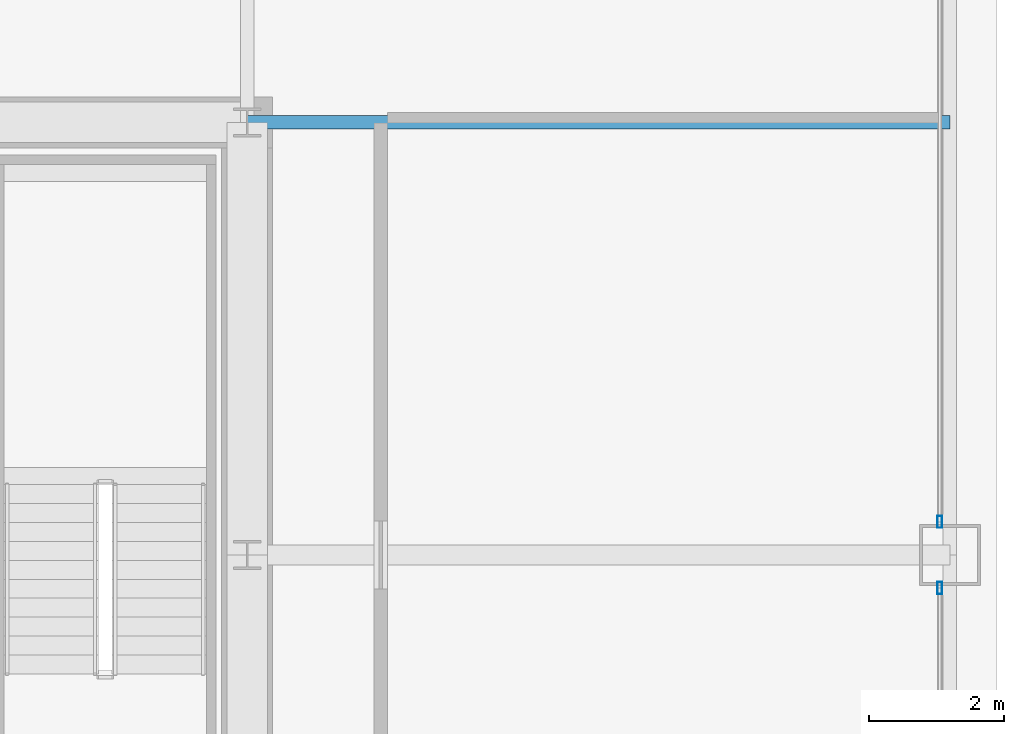
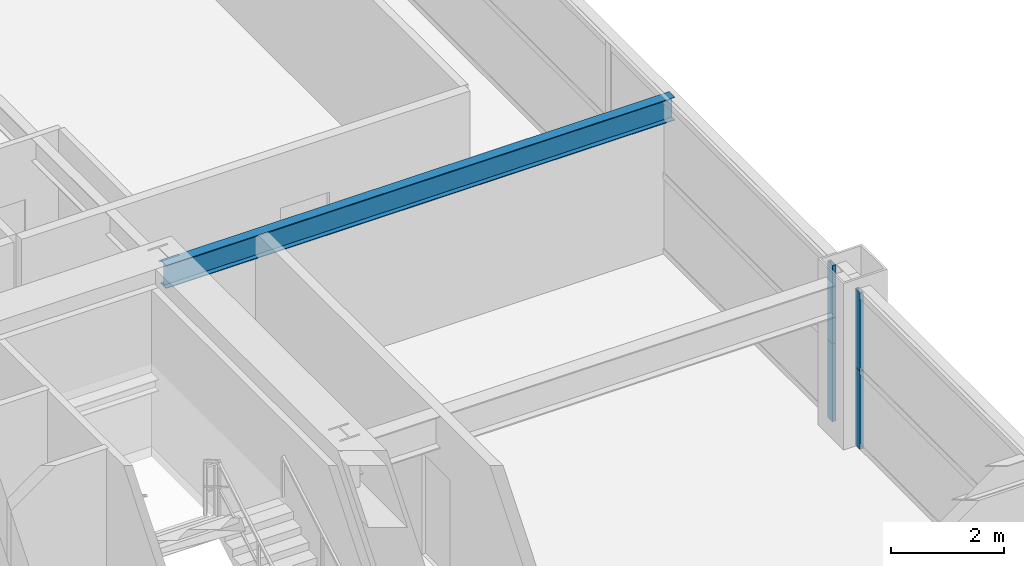
# One storey, part 22 of 43: 4 members, 1 beam, 2 elements without a shape of their own.
"""IFC4 building model written with IfcOpenShell, lengths in metres."""

import ifcopenshell
import ifcopenshell.guid

model = None  # the IFC model being written
_history = None  # IfcOwnerHistory: only IFC2X3 demands one
_inside = {}  # id of a spatial element -> (the spatial element, [elements in it])
_under = {}  # id of a project, library or spatial element -> (it, [spatial elements below it])
_declared = {}  # id of a project -> (the project, [libraries it declares])
_typed = {}  # id of a type object -> (the type object, [elements of that type])
_made_of = {}  # id of a material, layer set ... -> (it, [elements and type objects made of it])


def new_model(schema):
    """Start an empty IFC model of exactly this schema.

    Asked for "IFC4X3", IfcOpenShell would pick the latest addendum, in which some entities
    have other attributes; the version numbers below select the first issue.
    IFC2X3 requires an IfcOwnerHistory on every rooted entity: one is made here for all.
    """
    global model, _history
    if schema == "IFC4X3":
        model = ifcopenshell.file(schema_version=(4, 3, 0, 0))
    else:
        model = ifcopenshell.file(schema=schema)
    _inside.clear()
    _under.clear()
    _declared.clear()
    _typed.clear()
    _made_of.clear()
    _history = None
    if model.schema == "IFC2X3":
        org = make("IfcOrganization", Name="unknown")
        user = make(
            "IfcPersonAndOrganization",
            ThePerson=make("IfcPerson", FamilyName="unknown"),
            TheOrganization=org,
        )
        app = make(
            "IfcApplication",
            ApplicationDeveloper=org,
            Version="unknown",
            ApplicationFullName="unknown",
            ApplicationIdentifier="unknown",
        )
        _history = make(
            "IfcOwnerHistory",
            OwningUser=user,
            OwningApplication=app,
            ChangeAction="ADDED",
            CreationDate=0,
        )
    return model


def make(cls, **values):
    """One entity of the class cls with the attributes given. An attribute that is None is left unset."""
    return model.create_entity(
        cls, **{name: value for name, value in values.items() if value is not None}
    )


def rooted(cls, **values):
    """An entity with a GlobalId (a new one), such as an element, a storey or a relation."""
    return make(cls, GlobalId=ifcopenshell.guid.new(), OwnerHistory=_history, **values)


def si_unit(unit_type, name, prefix=None):
    """IfcSIUnit, for example si_unit("LENGTHUNIT", "METRE", prefix="MILLI")."""
    return make("IfcSIUnit", UnitType=unit_type, Prefix=prefix, Name=name)


def assignment(units):
    """IfcUnitAssignment: the units of a project."""
    return None if units is None else make("IfcUnitAssignment", Units=units)


def point(xyz):
    """IfcCartesianPoint."""
    return None if xyz is None else make("IfcCartesianPoint", Coordinates=xyz)


def direction(xyz):
    """IfcDirection."""
    return None if xyz is None else make("IfcDirection", DirectionRatios=xyz)


def frame(location, z_axis=None, x_axis=None):
    """IfcAxis2Placement3D, a coordinate frame: its origin and axes. An axis left out is left unset."""
    return make(
        "IfcAxis2Placement3D",
        Location=point(location),
        Axis=direction(z_axis),
        RefDirection=direction(x_axis),
    )


def frame_2d(location, x_axis=None):
    """IfcAxis2Placement2D, a coordinate frame in the plane: its origin and x axis."""
    return make(
        "IfcAxis2Placement2D", Location=point(location), RefDirection=direction(x_axis)
    )


def origin():
    """The frame at (0, 0, 0) with its axes left unset."""
    return frame((0.0, 0.0, 0.0))


def origin_2d():
    """The frame at (0, 0) in the plane with its x axis left unset."""
    return frame_2d((0.0, 0.0))


def place(relative_to, where):
    """IfcLocalPlacement: puts the frame where relative to a parent placement (None: the world)."""
    return make(
        "IfcLocalPlacement", PlacementRelTo=relative_to, RelativePlacement=where
    )


def context(
    kind, dimensions, precision=None, world=None, true_north=None, identifier=None
):
    """IfcGeometricRepresentationContext, for example the 3D "Model" context."""
    return make(
        "IfcGeometricRepresentationContext",
        ContextIdentifier=identifier,
        ContextType=kind,
        CoordinateSpaceDimension=dimensions,
        Precision=precision,
        WorldCoordinateSystem=world,
        TrueNorth=true_north,
    )


def subcontext(parent, identifier, kind, view, scale=None):
    """IfcGeometricRepresentationSubContext, for example "Body" below "Model"."""
    return make(
        "IfcGeometricRepresentationSubContext",
        ContextIdentifier=identifier,
        ContextType=kind,
        ParentContext=parent,
        TargetScale=scale,
        TargetView=view,
    )


def project(units=None, contexts=None):
    """IfcProject with its units and contexts."""
    return rooted(
        "IfcProject",
        Name="project",
        RepresentationContexts=contexts,
        UnitsInContext=assignment(units),
    )


def spatial(cls, under=None, at=None, **own):
    """A site, building, storey or space (cls), placed at a placement, below another one or the project."""
    s = rooted(cls, ObjectPlacement=at, **own)
    if under is not None:
        _under.setdefault(under.id(), (under, []))[1].append(s)
    return s


def profile(cls, at=None, kind="AREA", **sizes):
    """A parametric profile (cls). Its sizes go by their IFC names, for example OverallWidth=200.0."""
    return make(cls, ProfileType=kind, Position=at, **sizes)


def hollow_rectangle(**sizes):
    """IfcRectangleHollowProfileDef."""
    return profile("IfcRectangleHollowProfileDef", **sizes)


def i_section(**sizes):
    """IfcIShapeProfileDef."""
    return profile("IfcIShapeProfileDef", **sizes)


def extrude(swept, where, along, depth):
    """IfcExtrudedAreaSolid: the profile swept, set in the frame where, extruded along a direction by depth."""
    return make(
        "IfcExtrudedAreaSolid",
        SweptArea=swept,
        Position=where,
        ExtrudedDirection=direction(along),
        Depth=depth,
    )


def shape(context_of_items, identifier, shape_type, items):
    """IfcShapeRepresentation: the items that make up one representation, for example the "Body"."""
    return make(
        "IfcShapeRepresentation",
        ContextOfItems=context_of_items,
        RepresentationIdentifier=identifier,
        RepresentationType=shape_type,
        Items=items,
    )


def source(mapping_origin, context_of_items, identifier, shape_type, items):
    """IfcRepresentationMap: a shape defined once, which mapped items show again and again."""
    return make(
        "IfcRepresentationMap",
        MappingOrigin=mapping_origin,
        MappedRepresentation=shape(context_of_items, identifier, shape_type, items),
    )


def transform(
    local_origin,
    x_axis=None,
    y_axis=None,
    z_axis=None,
    scale=None,
    scale2=None,
    scale3=None,
    uniform=True,
):
    """IfcCartesianTransformationOperator3D, or its non-uniform kind. x_axis, y_axis, z_axis: its Axis1, 2, 3."""
    if uniform:
        return make(
            "IfcCartesianTransformationOperator3D",
            Axis1=direction(x_axis),
            Axis2=direction(y_axis),
            LocalOrigin=point(local_origin),
            Scale=scale,
            Axis3=direction(z_axis),
        )
    return make(
        "IfcCartesianTransformationOperator3DnonUniform",
        Axis1=direction(x_axis),
        Axis2=direction(y_axis),
        LocalOrigin=point(local_origin),
        Scale=scale,
        Axis3=direction(z_axis),
        Scale2=scale2,
        Scale3=scale3,
    )


def mapped(mapping_source, mapping_target):
    """IfcMappedItem: shows the shape of a source again, moved by a transform."""
    return make(
        "IfcMappedItem", MappingSource=mapping_source, MappingTarget=mapping_target
    )


def material(Name=None, Category=None):
    """IfcMaterial."""
    return make("IfcMaterial", Name=Name, Category=Category)


def layer(
    of_material, thickness, ventilated=None, Name=None, Category=None, Priority=None
):
    """IfcMaterialLayer: one layer of a wall or slab, of a material (None: an air gap)."""
    return make(
        "IfcMaterialLayer",
        Material=of_material,
        LayerThickness=thickness,
        IsVentilated=ventilated,
        Name=Name,
        Category=Category,
        Priority=Priority,
    )


def layer_set(layers, Name=None):
    """IfcMaterialLayerSet."""
    return make("IfcMaterialLayerSet", MaterialLayers=layers, LayerSetName=Name)


def material_profile(
    of_material, cross_section, Name=None, Category=None, Priority=None
):
    """IfcMaterialProfile: a cross section and its material."""
    return make(
        "IfcMaterialProfile",
        Name=Name,
        Material=of_material,
        Profile=cross_section,
        Priority=Priority,
        Category=Category,
    )


def profile_set(profiles, Name=None, composite=None):
    """IfcMaterialProfileSet."""
    return make(
        "IfcMaterialProfileSet",
        Name=Name,
        MaterialProfiles=profiles,
        CompositeProfile=composite,
    )


def made_of(thing, what):
    """Note that an element or type object is made of a material, layer set ...; save() writes the relation."""
    if what is not None:
        _made_of.setdefault(what.id(), (what, []))[1].append(thing)
    return thing


def type_object(cls, material=None, **own):
    """A type object (cls), such as IfcWallType, which elements share."""
    return made_of(rooted(cls, **own), material)


def element(
    cls,
    number,
    at=None,
    inside=None,
    cuts=None,
    type_object=None,
    material=None,
    context=None,
    identifier="Body",
    shape_type=None,
    held_by="IfcProductDefinitionShape",
    body=None,
    shapes=None,
    **own,
):
    """One element of the class cls, such as IfcWall. Its Tag is "e" and its number.

    at: its placement. inside: the storey or other place that contains it. cuts: it is an
    opening in that element (IfcRelVoidsElement). A single representation is given by context,
    identifier, shape_type and body (its items); several are given by shapes. held_by: the class
    of the entity that holds the representations. save() writes the other relations.
    """
    e = rooted(cls, Tag="e%d" % number, ObjectPlacement=at, **own)
    if body is not None:
        shapes = [shape(context, identifier, shape_type, body)]
    if shapes is not None:
        e.Representation = make(held_by, Representations=shapes)
    if inside is not None:
        _inside.setdefault(inside.id(), (inside, []))[1].append(e)
    if cuts is not None:
        rooted(
            "IfcRelVoidsElement", RelatingBuildingElement=cuts, RelatedOpeningElement=e
        )
    if type_object is not None:
        _typed.setdefault(type_object.id(), (type_object, []))[1].append(e)
    return made_of(e, material)


def aggregate(whole, parts):
    """IfcRelAggregates: a whole, such as a stair, and the parts it consists of."""
    return rooted("IfcRelAggregates", RelatingObject=whole, RelatedObjects=parts)


def save(model, path):
    """Write the relations noted so far, then the file.

    IfcRelAggregates (storeys below a building ...), IfcRelContainedInSpatialStructure (elements
    in a storey), IfcRelDefinesByType, IfcRelAssociatesMaterial and IfcRelDeclares: one each for
    every whole, place, type object, material and project.
    """
    for whole, parts in _under.values():
        aggregate(whole, parts)
    for where, things in _inside.values():
        rooted(
            "IfcRelContainedInSpatialStructure",
            RelatedElements=things,
            RelatingStructure=where,
        )
    for kind, things in _typed.values():
        rooted("IfcRelDefinesByType", RelatedObjects=things, RelatingType=kind)
    for what, things in _made_of.values():
        rooted("IfcRelAssociatesMaterial", RelatedObjects=things, RelatingMaterial=what)
    for by, libraries in _declared.values():
        rooted("IfcRelDeclares", RelatingContext=by, RelatedDefinitions=libraries)
    model.write(path)


model = new_model("IFC4")

# Units and contexts
model_context = context("Model", 3, precision=1e-05, world=origin(), true_north=direction((0.0, 1.0)))
body_context = subcontext(model_context, "Body", "Model", "MODEL_VIEW")
ifc_project = project(units=[si_unit("LENGTHUNIT", "METRE"), si_unit("AREAUNIT", "SQUARE_METRE"), si_unit("VOLUMEUNIT", "CUBIC_METRE"), si_unit("PLANEANGLEUNIT", "RADIAN"), si_unit("MASSUNIT", "GRAM", prefix="KILO"), si_unit("THERMODYNAMICTEMPERATUREUNIT", "KELVIN"), si_unit("POWERUNIT", "WATT")], contexts=[model_context])

# Site, building, storey
site_placement = place(None, origin())
site = spatial("IfcSite", under=ifc_project, at=site_placement, CompositionType="ELEMENT")
building_placement = place(site_placement, origin())
building = spatial("IfcBuilding", under=site, at=building_placement, Name="Yuzanri Waterfront Tower", CompositionType="ELEMENT")
storey_placement = place(building_placement, frame((0.0, 0.0, 108.199951171875)))
storey = spatial("IfcBuildingStorey", under=building, at=storey_placement, Name="L28", CompositionType="ELEMENT", Elevation=108.199951171875)

# Beam
ifc_material_1 = material(Name="Steel Q355B", Category="steel")
ifc_material_profile_1 = material_profile(ifc_material_1, i_section(OverallWidth=0.199951171875, OverallDepth=0.5, WebThickness=0.010009765625, FlangeThickness=0.01611328125, at=origin_2d()), Name="HN 500x200x10x16")
ifc_profile_set_1 = profile_set([ifc_material_profile_1], Name="Steel Q355B")
beam_type = type_object("IfcBeamType", Name="Secondary Floor Beam Q355B HN 500x200", PredefinedType="BEAM", material=ifc_profile_set_1)
shared_shape_1 = source(origin(), body_context, "Body", "SweptSolid", [
    extrude(i_section(OverallWidth=0.199951171875, OverallDepth=0.5, WebThickness=0.010009765625, FlangeThickness=0.01611328125, at=origin_2d()), origin(), (0.0, 0.0, 1.0), 10.400146484375),
])
beam_placement = place(storey_placement, frame((50.199951171875, 32.199951171875, 3.130126953125), z_axis=(1.0, 0.0, 0.0), x_axis=(0.0, 1.0, 0.0)))
element("IfcBeam", 1, at=beam_placement, inside=storey, type_object=beam_type, Name="L28 East-North Core Line Beam", PredefinedType="BEAM", context=body_context, shape_type="MappedRepresentation", body=[
    mapped(shared_shape_1, transform((0.0, 0.0, 0.0), scale=1.0)),
])

# Curtain wall, members
ifc_material_2 = material(Name="Anodized Architectural Bronze", Category="metal")
ifc_layer = layer(ifc_material_2, 0.159912109375)
ifc_layer_set = layer_set([ifc_layer], Name="Anodized Architectural Bronze")
curtain_wall_type = type_object("IfcCurtainWallType", Name="Anodized Bronze Hotel Upper-Tier Solar-Control Unitized Curtain Wall 7800", PredefinedType="NOTDEFINED", material=ifc_layer_set)
curtain_wall_1_placement = place(storey_placement, origin())
curtain_wall_1 = element("IfcCurtainWall", 2, at=curtain_wall_1_placement, inside=storey, type_object=curtain_wall_type, Name="L28 Curtain Wall CW-L28-EL", PredefinedType="NOTDEFINED")
ifc_material_3 = material(Name="Anodized Architectural Bronze", Category="metal")
ifc_material_profile_2 = material_profile(ifc_material_3, hollow_rectangle(XDim=0.070068359375, YDim=0.179931640625, WallThickness=0.00390625, at=origin_2d()), Name="CWM 70x180")
ifc_profile_set_2 = profile_set([ifc_material_profile_2], Name="Anodized Architectural Bronze")
member_type = type_object("IfcMemberType", Name="Anodized Bronze Standard Curtain-Wall Mullion 70x180", PredefinedType="MULLION", material=ifc_profile_set_2)
shared_shape_2 = source(origin(), body_context, "Body", "SweptSolid", [
    extrude(hollow_rectangle(XDim=0.070068359375, YDim=0.179931640625, WallThickness=0.00390625, at=origin_2d()), origin(), (0.0, 0.0, 1.0), 1.68798828125),
])
member_1_placement = place(storey_placement, frame((60.449951171875, 25.31005859375, 0.0), z_axis=(0.0, 0.0, 1.0), x_axis=(1.0, 0.0, 0.0)))
member_1 = element("IfcMember", 3, at=member_1_placement, type_object=member_type, Name="CW-L28-EL Lower Mullion 02", PredefinedType="MULLION", context=body_context, shape_type="MappedRepresentation", body=[
    mapped(shared_shape_2, transform((0.0, 0.0, 0.0), scale=1.0)),
])
member_2_placement = place(storey_placement, frame((60.449951171875, 25.31005859375, 1.692138671875), z_axis=(0.0, 0.0, 1.0), x_axis=(1.0, 0.0, 0.0)))
member_2 = element("IfcMember", 4, at=member_2_placement, type_object=member_type, Name="CW-L28-EL Upper Mullion 02", PredefinedType="MULLION", context=body_context, shape_type="MappedRepresentation", body=[
    mapped(shared_shape_2, transform((0.0, 0.0, 0.0), scale=1.0)),
])
aggregate(curtain_wall_1, [member_1, member_2])

curtain_wall_2_placement = place(storey_placement, origin())
curtain_wall_2 = element("IfcCurtainWall", 5, at=curtain_wall_2_placement, inside=storey, type_object=curtain_wall_type, Name="L28 Curtain Wall CW-L28-ER", PredefinedType="NOTDEFINED")
member_3_placement = place(storey_placement, frame((60.449951171875, 26.2900390625, 0.0), z_axis=(0.0, 0.0, 1.0), x_axis=(1.0, 0.0, 0.0)))
member_3 = element("IfcMember", 6, at=member_3_placement, type_object=member_type, Name="CW-L28-ER Lower Mullion 00", PredefinedType="MULLION", context=body_context, shape_type="MappedRepresentation", body=[
    mapped(shared_shape_2, transform((0.0, 0.0, 0.0), scale=1.0)),
])
member_4_placement = place(storey_placement, frame((60.449951171875, 26.2900390625, 1.692138671875), z_axis=(0.0, 0.0, 1.0), x_axis=(1.0, 0.0, 0.0)))
member_4 = element("IfcMember", 7, at=member_4_placement, type_object=member_type, Name="CW-L28-ER Upper Mullion 00", PredefinedType="MULLION", context=body_context, shape_type="MappedRepresentation", body=[
    mapped(shared_shape_2, transform((0.0, 0.0, 0.0), scale=1.0)),
])
aggregate(curtain_wall_2, [member_3, member_4])

save(model, "model.ifc")
